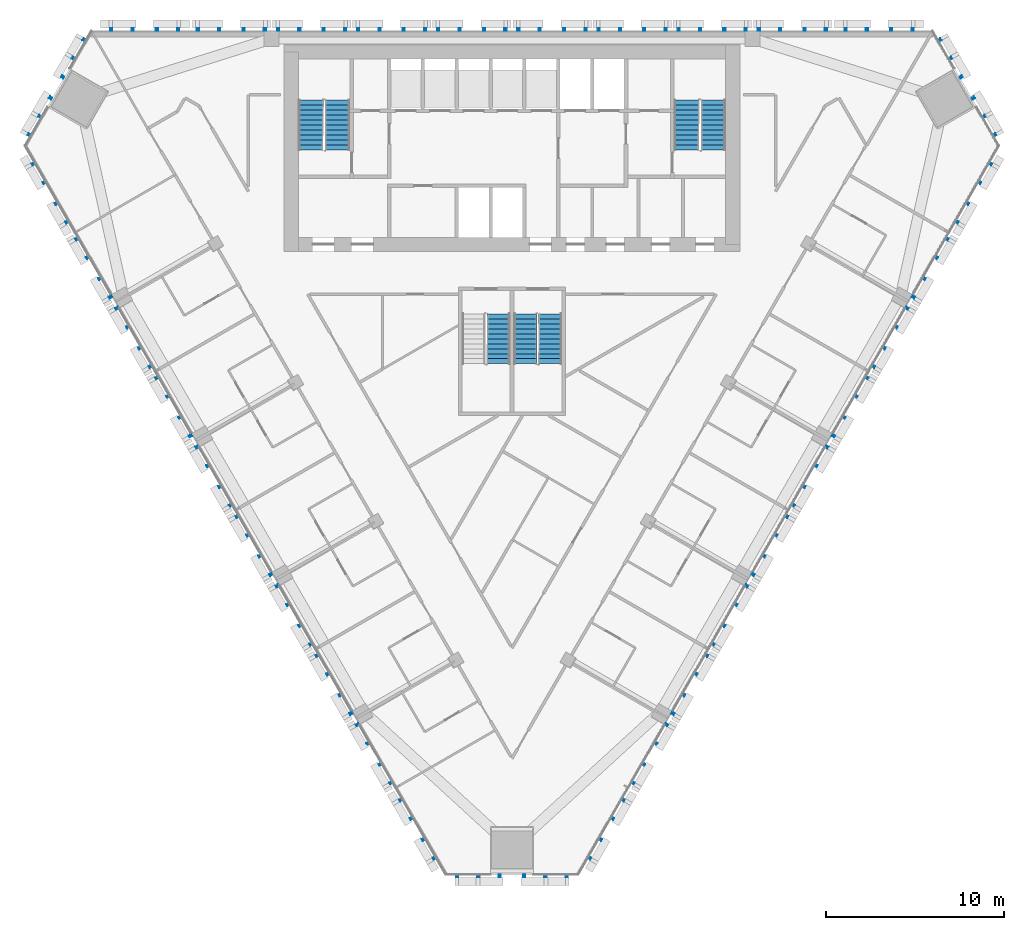
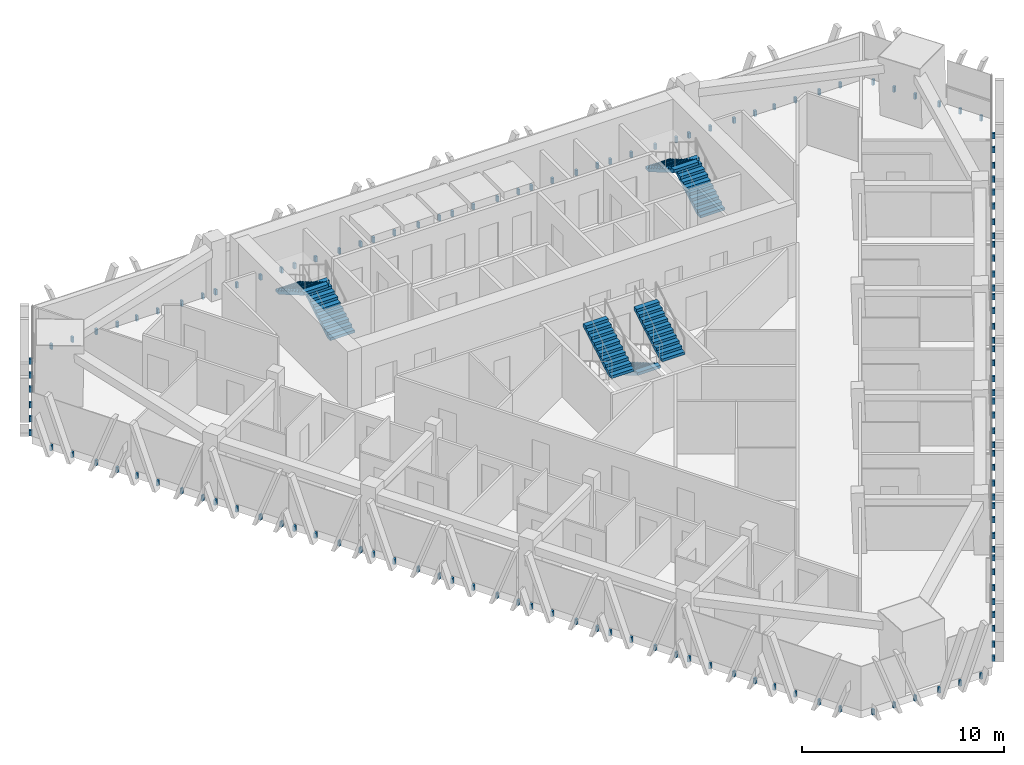
# One storey, part 13 of 16: 7 stair flights, 6 discrete accessories, 4 elements without a shape of their own.
"""IFC4 building model written with IfcOpenShell, lengths in metres."""

import ifcopenshell
import ifcopenshell.guid

model = None  # the IFC model being written
_history = None  # IfcOwnerHistory: only IFC2X3 demands one
_inside = {}  # id of a spatial element -> (the spatial element, [elements in it])
_under = {}  # id of a project, library or spatial element -> (it, [spatial elements below it])
_declared = {}  # id of a project -> (the project, [libraries it declares])
_typed = {}  # id of a type object -> (the type object, [elements of that type])
_made_of = {}  # id of a material, layer set ... -> (it, [elements and type objects made of it])


def new_model(schema):
    """Start an empty IFC model of exactly this schema.

    Asked for "IFC4X3", IfcOpenShell would pick the latest addendum, in which some entities
    have other attributes; the version numbers below select the first issue.
    IFC2X3 requires an IfcOwnerHistory on every rooted entity: one is made here for all.
    """
    global model, _history
    if schema == "IFC4X3":
        model = ifcopenshell.file(schema_version=(4, 3, 0, 0))
    else:
        model = ifcopenshell.file(schema=schema)
    _inside.clear()
    _under.clear()
    _declared.clear()
    _typed.clear()
    _made_of.clear()
    _history = None
    if model.schema == "IFC2X3":
        org = make("IfcOrganization", Name="unknown")
        user = make(
            "IfcPersonAndOrganization",
            ThePerson=make("IfcPerson", FamilyName="unknown"),
            TheOrganization=org,
        )
        app = make(
            "IfcApplication",
            ApplicationDeveloper=org,
            Version="unknown",
            ApplicationFullName="unknown",
            ApplicationIdentifier="unknown",
        )
        _history = make(
            "IfcOwnerHistory",
            OwningUser=user,
            OwningApplication=app,
            ChangeAction="ADDED",
            CreationDate=0,
        )
    return model


def make(cls, **values):
    """One entity of the class cls with the attributes given. An attribute that is None is left unset."""
    return model.create_entity(
        cls, **{name: value for name, value in values.items() if value is not None}
    )


def rooted(cls, **values):
    """An entity with a GlobalId (a new one), such as an element, a storey or a relation."""
    return make(cls, GlobalId=ifcopenshell.guid.new(), OwnerHistory=_history, **values)


def si_unit(unit_type, name, prefix=None):
    """IfcSIUnit, for example si_unit("LENGTHUNIT", "METRE", prefix="MILLI")."""
    return make("IfcSIUnit", UnitType=unit_type, Prefix=prefix, Name=name)


def assignment(units):
    """IfcUnitAssignment: the units of a project."""
    return None if units is None else make("IfcUnitAssignment", Units=units)


def point(xyz):
    """IfcCartesianPoint."""
    return None if xyz is None else make("IfcCartesianPoint", Coordinates=xyz)


def direction(xyz):
    """IfcDirection."""
    return None if xyz is None else make("IfcDirection", DirectionRatios=xyz)


def frame(location, z_axis=None, x_axis=None):
    """IfcAxis2Placement3D, a coordinate frame: its origin and axes. An axis left out is left unset."""
    return make(
        "IfcAxis2Placement3D",
        Location=point(location),
        Axis=direction(z_axis),
        RefDirection=direction(x_axis),
    )


def origin():
    """The frame at (0, 0, 0) with its axes left unset."""
    return frame((0.0, 0.0, 0.0))


def place(relative_to, where):
    """IfcLocalPlacement: puts the frame where relative to a parent placement (None: the world)."""
    return make(
        "IfcLocalPlacement", PlacementRelTo=relative_to, RelativePlacement=where
    )


def context(
    kind, dimensions, precision=None, world=None, true_north=None, identifier=None
):
    """IfcGeometricRepresentationContext, for example the 3D "Model" context."""
    return make(
        "IfcGeometricRepresentationContext",
        ContextIdentifier=identifier,
        ContextType=kind,
        CoordinateSpaceDimension=dimensions,
        Precision=precision,
        WorldCoordinateSystem=world,
        TrueNorth=true_north,
    )


def subcontext(parent, identifier, kind, view, scale=None):
    """IfcGeometricRepresentationSubContext, for example "Body" below "Model"."""
    return make(
        "IfcGeometricRepresentationSubContext",
        ContextIdentifier=identifier,
        ContextType=kind,
        ParentContext=parent,
        TargetScale=scale,
        TargetView=view,
    )


def project(units=None, contexts=None):
    """IfcProject with its units and contexts."""
    return rooted(
        "IfcProject",
        Name="project",
        RepresentationContexts=contexts,
        UnitsInContext=assignment(units),
    )


def spatial(cls, under=None, at=None, **own):
    """A site, building, storey or space (cls), placed at a placement, below another one or the project."""
    s = rooted(cls, ObjectPlacement=at, **own)
    if under is not None:
        _under.setdefault(under.id(), (under, []))[1].append(s)
    return s


def polyline(points):
    """IfcPolyline through the points."""
    return make("IfcPolyline", Points=[point(p) for p in points])


def outline(outer, holes=None, kind="AREA"):
    """IfcArbitraryClosedProfileDef: a profile drawn as a closed curve; with holes, ...WithVoids."""
    if holes is None:
        return make("IfcArbitraryClosedProfileDef", ProfileType=kind, OuterCurve=outer)
    return make(
        "IfcArbitraryProfileDefWithVoids",
        ProfileType=kind,
        OuterCurve=outer,
        InnerCurves=holes,
    )


def extrude(swept, where, along, depth):
    """IfcExtrudedAreaSolid: the profile swept, set in the frame where, extruded along a direction by depth."""
    return make(
        "IfcExtrudedAreaSolid",
        SweptArea=swept,
        Position=where,
        ExtrudedDirection=direction(along),
        Depth=depth,
    )


def shape(context_of_items, identifier, shape_type, items):
    """IfcShapeRepresentation: the items that make up one representation, for example the "Body"."""
    return make(
        "IfcShapeRepresentation",
        ContextOfItems=context_of_items,
        RepresentationIdentifier=identifier,
        RepresentationType=shape_type,
        Items=items,
    )


def source(mapping_origin, context_of_items, identifier, shape_type, items):
    """IfcRepresentationMap: a shape defined once, which mapped items show again and again."""
    return make(
        "IfcRepresentationMap",
        MappingOrigin=mapping_origin,
        MappedRepresentation=shape(context_of_items, identifier, shape_type, items),
    )


def transform(
    local_origin,
    x_axis=None,
    y_axis=None,
    z_axis=None,
    scale=None,
    scale2=None,
    scale3=None,
    uniform=True,
):
    """IfcCartesianTransformationOperator3D, or its non-uniform kind. x_axis, y_axis, z_axis: its Axis1, 2, 3."""
    if uniform:
        return make(
            "IfcCartesianTransformationOperator3D",
            Axis1=direction(x_axis),
            Axis2=direction(y_axis),
            LocalOrigin=point(local_origin),
            Scale=scale,
            Axis3=direction(z_axis),
        )
    return make(
        "IfcCartesianTransformationOperator3DnonUniform",
        Axis1=direction(x_axis),
        Axis2=direction(y_axis),
        LocalOrigin=point(local_origin),
        Scale=scale,
        Axis3=direction(z_axis),
        Scale2=scale2,
        Scale3=scale3,
    )


def mapped(mapping_source, mapping_target):
    """IfcMappedItem: shows the shape of a source again, moved by a transform."""
    return make(
        "IfcMappedItem", MappingSource=mapping_source, MappingTarget=mapping_target
    )


def material(Name=None, Category=None):
    """IfcMaterial."""
    return make("IfcMaterial", Name=Name, Category=Category)


def made_of(thing, what):
    """Note that an element or type object is made of a material, layer set ...; save() writes the relation."""
    if what is not None:
        _made_of.setdefault(what.id(), (what, []))[1].append(thing)
    return thing


def type_object(cls, material=None, **own):
    """A type object (cls), such as IfcWallType, which elements share."""
    return made_of(rooted(cls, **own), material)


def element(
    cls,
    number,
    at=None,
    inside=None,
    cuts=None,
    type_object=None,
    material=None,
    context=None,
    identifier="Body",
    shape_type=None,
    held_by="IfcProductDefinitionShape",
    body=None,
    shapes=None,
    **own,
):
    """One element of the class cls, such as IfcWall. Its Tag is "e" and its number.

    at: its placement. inside: the storey or other place that contains it. cuts: it is an
    opening in that element (IfcRelVoidsElement). A single representation is given by context,
    identifier, shape_type and body (its items); several are given by shapes. held_by: the class
    of the entity that holds the representations. save() writes the other relations.
    """
    e = rooted(cls, Tag="e%d" % number, ObjectPlacement=at, **own)
    if body is not None:
        shapes = [shape(context, identifier, shape_type, body)]
    if shapes is not None:
        e.Representation = make(held_by, Representations=shapes)
    if inside is not None:
        _inside.setdefault(inside.id(), (inside, []))[1].append(e)
    if cuts is not None:
        rooted(
            "IfcRelVoidsElement", RelatingBuildingElement=cuts, RelatedOpeningElement=e
        )
    if type_object is not None:
        _typed.setdefault(type_object.id(), (type_object, []))[1].append(e)
    return made_of(e, material)


def aggregate(whole, parts):
    """IfcRelAggregates: a whole, such as a stair, and the parts it consists of."""
    return rooted("IfcRelAggregates", RelatingObject=whole, RelatedObjects=parts)


def save(model, path):
    """Write the relations noted so far, then the file.

    IfcRelAggregates (storeys below a building ...), IfcRelContainedInSpatialStructure (elements
    in a storey), IfcRelDefinesByType, IfcRelAssociatesMaterial and IfcRelDeclares: one each for
    every whole, place, type object, material and project.
    """
    for whole, parts in _under.values():
        aggregate(whole, parts)
    for where, things in _inside.values():
        rooted(
            "IfcRelContainedInSpatialStructure",
            RelatedElements=things,
            RelatingStructure=where,
        )
    for kind, things in _typed.values():
        rooted("IfcRelDefinesByType", RelatedObjects=things, RelatingType=kind)
    for what, things in _made_of.values():
        rooted("IfcRelAssociatesMaterial", RelatedObjects=things, RelatingMaterial=what)
    for by, libraries in _declared.values():
        rooted("IfcRelDeclares", RelatingContext=by, RelatedDefinitions=libraries)
    model.write(path)


model = new_model("IFC4")

# Units and contexts
model_context = context("Model", 3, precision=1e-05, world=origin(), true_north=direction((0.0, 1.0)))
body_context = subcontext(model_context, "Body", "Model", "MODEL_VIEW")
ifc_project = project(units=[si_unit("LENGTHUNIT", "METRE"), si_unit("AREAUNIT", "SQUARE_METRE"), si_unit("VOLUMEUNIT", "CUBIC_METRE"), si_unit("PLANEANGLEUNIT", "RADIAN"), si_unit("MASSUNIT", "GRAM", prefix="KILO")], contexts=[model_context])

# Site, building, storey
site_placement = place(None, origin())
site = spatial("IfcSite", under=ifc_project, at=site_placement, CompositionType="ELEMENT")
building_placement = place(site_placement, origin())
building = spatial("IfcBuilding", under=site, at=building_placement, Name="Altiplano Prism Tower", CompositionType="ELEMENT")
storey_placement = place(building_placement, frame((0.0, 0.0, 145.800048828125)))
storey = spatial("IfcBuildingStorey", under=building, at=storey_placement, Name="L37", CompositionType="ELEMENT", Elevation=145.800048828125)

# Stair, stair flights
ifc_material_1 = material(Name="Concrete C40/50", Category="concrete")
stair_type_1 = type_object("IfcStairType", Name="Exit stair 1400", PredefinedType="HALF_TURN_STAIR", material=ifc_material_1)
stair_1_placement = place(storey_placement, origin())
stair_1 = element("IfcStair", 1, at=stair_1_placement, inside=storey, type_object=stair_type_1, Name="L37 Exit Stair 1", PredefinedType="HALF_TURN_STAIR")
stair_flight_type = type_object("IfcStairFlightType", Name="Stair flight concrete 150", PredefinedType="STRAIGHT", material=ifc_material_1)
stair_flight_1_placement = place(storey_placement, frame((75.199951171875, 98.300048828125, 0.0), z_axis=(0.0, 0.0, 1.0), x_axis=(0.0, 1.0, 0.0)))
stair_flight_1 = element("IfcStairFlight", 2, at=stair_flight_1_placement, type_object=stair_flight_type, Name="ST1 flight 1", NumberOfRisers=11, NumberOfTreads=10, PredefinedType="STRAIGHT", RiserHeight=0.163636364, TreadLength=0.28, context=body_context, shape_type="SweptSolid", body=[
    extrude(outline(polyline([(0.0, 0.0), (0.0, 0.16357421875), (0.280029296875, 0.16357421875), (0.280029296875, 0.327392578125), (0.56005859375, 0.327392578125), (0.56005859375, 0.490966796875), (0.840087890625, 0.490966796875), (0.840087890625, 0.654541015625), (1.1201171875, 0.654541015625), (1.1201171875, 0.818115234375), (1.39990234375, 0.818115234375), (1.39990234375, 0.98193359375), (1.679931640625, 0.98193359375), (1.679931640625, 1.1455078125), (1.9599609375, 1.1455078125), (1.9599609375, 1.30908203125), (2.239990234375, 1.30908203125), (2.239990234375, 1.47265625), (2.52001953125, 1.47265625), (2.52001953125, 1.636474609375), (2.800048828125, 1.636474609375), (2.800048828125, 1.800048828125), (2.800048828125, 1.462646484375), (0.297119140625, 0.0), (0.0, 0.0)])), frame((0.0, 0.699951171875, 0.0), z_axis=(0.0, -1.0, 0.0), x_axis=(1.0, 0.0, 0.0)), (0.0, 0.0, 1.0), 1.39990234375),
])
stair_flight_2_placement = place(storey_placement, frame((73.699951171875, 101.10009765625, 1.800048828125), z_axis=(0.0, 0.0, 1.0), x_axis=(0.0, -1.0, 0.0)))
stair_flight_2 = element("IfcStairFlight", 3, at=stair_flight_2_placement, type_object=stair_flight_type, Name="ST1 flight 2", NumberOfRisers=11, NumberOfTreads=10, PredefinedType="STRAIGHT", RiserHeight=0.163636364, TreadLength=0.28, context=body_context, shape_type="SweptSolid", body=[
    extrude(outline(polyline([(0.0, 0.0), (0.0, 0.16357421875), (0.280029296875, 0.16357421875), (0.280029296875, 0.327392578125), (0.56005859375, 0.327392578125), (0.56005859375, 0.490966796875), (0.840087890625, 0.490966796875), (0.840087890625, 0.654541015625), (1.1201171875, 0.654541015625), (1.1201171875, 0.818115234375), (1.39990234375, 0.818115234375), (1.39990234375, 0.98193359375), (1.679931640625, 0.98193359375), (1.679931640625, 1.1455078125), (1.9599609375, 1.1455078125), (1.9599609375, 1.30908203125), (2.239990234375, 1.30908203125), (2.239990234375, 1.47265625), (2.52001953125, 1.47265625), (2.52001953125, 1.636474609375), (2.800048828125, 1.636474609375), (2.800048828125, 1.800048828125), (2.800048828125, 1.462646484375), (0.297119140625, 0.0), (0.0, 0.0)])), frame((0.0, 0.699951171875, 0.0), z_axis=(0.0, -1.0, 0.0), x_axis=(1.0, 0.0, 0.0)), (0.0, 0.0, 1.0), 1.39990234375),
])
aggregate(stair_1, [stair_flight_1, stair_flight_2])

stair_2_placement = place(storey_placement, origin())
stair_2 = element("IfcStair", 4, at=stair_2_placement, inside=storey, type_object=stair_type_1, Name="L37 Exit Stair 2", PredefinedType="HALF_TURN_STAIR")
stair_flight_3_placement = place(storey_placement, frame((96.300048828125, 98.300048828125, 0.0), z_axis=(0.0, 0.0, 1.0), x_axis=(0.0, 1.0, 0.0)))
stair_flight_3 = element("IfcStairFlight", 5, at=stair_flight_3_placement, type_object=stair_flight_type, Name="ST2 flight 1", NumberOfRisers=11, NumberOfTreads=10, PredefinedType="STRAIGHT", RiserHeight=0.163636364, TreadLength=0.28, context=body_context, shape_type="SweptSolid", body=[
    extrude(outline(polyline([(0.0, 0.0), (0.0, 0.16357421875), (0.280029296875, 0.16357421875), (0.280029296875, 0.327392578125), (0.56005859375, 0.327392578125), (0.56005859375, 0.490966796875), (0.840087890625, 0.490966796875), (0.840087890625, 0.654541015625), (1.1201171875, 0.654541015625), (1.1201171875, 0.818115234375), (1.39990234375, 0.818115234375), (1.39990234375, 0.98193359375), (1.679931640625, 0.98193359375), (1.679931640625, 1.1455078125), (1.9599609375, 1.1455078125), (1.9599609375, 1.30908203125), (2.239990234375, 1.30908203125), (2.239990234375, 1.47265625), (2.52001953125, 1.47265625), (2.52001953125, 1.636474609375), (2.800048828125, 1.636474609375), (2.800048828125, 1.800048828125), (2.800048828125, 1.462646484375), (0.297119140625, 0.0), (0.0, 0.0)])), frame((0.0, 0.699951171875, 0.0), z_axis=(0.0, -1.0, 0.0), x_axis=(1.0, 0.0, 0.0)), (0.0, 0.0, 1.0), 1.39990234375),
])
stair_flight_4_placement = place(storey_placement, frame((94.800048828125, 101.10009765625, 1.800048828125), z_axis=(0.0, 0.0, 1.0), x_axis=(0.0, -1.0, 0.0)))
stair_flight_4 = element("IfcStairFlight", 6, at=stair_flight_4_placement, type_object=stair_flight_type, Name="ST2 flight 2", NumberOfRisers=11, NumberOfTreads=10, PredefinedType="STRAIGHT", RiserHeight=0.163636364, TreadLength=0.28, context=body_context, shape_type="SweptSolid", body=[
    extrude(outline(polyline([(0.0, 0.0), (0.0, 0.16357421875), (0.280029296875, 0.16357421875), (0.280029296875, 0.327392578125), (0.56005859375, 0.327392578125), (0.56005859375, 0.490966796875), (0.840087890625, 0.490966796875), (0.840087890625, 0.654541015625), (1.1201171875, 0.654541015625), (1.1201171875, 0.818115234375), (1.39990234375, 0.818115234375), (1.39990234375, 0.98193359375), (1.679931640625, 0.98193359375), (1.679931640625, 1.1455078125), (1.9599609375, 1.1455078125), (1.9599609375, 1.30908203125), (2.239990234375, 1.30908203125), (2.239990234375, 1.47265625), (2.52001953125, 1.47265625), (2.52001953125, 1.636474609375), (2.800048828125, 1.636474609375), (2.800048828125, 1.800048828125), (2.800048828125, 1.462646484375), (0.297119140625, 0.0), (0.0, 0.0)])), frame((0.0, 0.699951171875, 0.0), z_axis=(0.0, -1.0, 0.0), x_axis=(1.0, 0.0, 0.0)), (0.0, 0.0, 1.0), 1.39990234375),
])
aggregate(stair_2, [stair_flight_3, stair_flight_4])

# Stair, stair flight
stair_type_2 = type_object("IfcStairType", Name="Exit stair 1300", PredefinedType="HALF_TURN_STAIR", material=ifc_material_1)
stair_3_placement = place(storey_placement, origin())
stair_3 = element("IfcStair", 7, at=stair_3_placement, inside=storey, type_object=stair_type_2, Name="L37 Exit Stair 3A", PredefinedType="HALF_TURN_STAIR")
stair_flight_5_placement = place(storey_placement, frame((84.25, 86.300048828125, 1.800048828125), z_axis=(0.0, 0.0, 1.0), x_axis=(0.0, 1.0, 0.0)))
stair_flight_5 = element("IfcStairFlight", 8, at=stair_flight_5_placement, type_object=stair_flight_type, Name="ST3A flight 2", NumberOfRisers=11, NumberOfTreads=10, PredefinedType="STRAIGHT", RiserHeight=0.163636364, TreadLength=0.28, context=body_context, shape_type="SweptSolid", body=[
    extrude(outline(polyline([(0.0, 0.0), (0.0, 0.16357421875), (0.280029296875, 0.16357421875), (0.280029296875, 0.327392578125), (0.56005859375, 0.327392578125), (0.56005859375, 0.490966796875), (0.840087890625, 0.490966796875), (0.840087890625, 0.654541015625), (1.1201171875, 0.654541015625), (1.1201171875, 0.818115234375), (1.39990234375, 0.818115234375), (1.39990234375, 0.98193359375), (1.679931640625, 0.98193359375), (1.679931640625, 1.1455078125), (1.9599609375, 1.1455078125), (1.9599609375, 1.30908203125), (2.239990234375, 1.30908203125), (2.239990234375, 1.47265625), (2.52001953125, 1.47265625), (2.52001953125, 1.636474609375), (2.800048828125, 1.636474609375), (2.800048828125, 1.800048828125), (2.800048828125, 1.462646484375), (0.297119140625, 0.0), (0.0, 0.0)])), frame((0.0, 0.64990234375, 0.0), z_axis=(0.0, -1.0, 0.0), x_axis=(1.0, 0.0, 0.0)), (0.0, 0.0, 1.0), 1.300048828125),
])
aggregate(stair_3, [stair_flight_5])

# Stair, stair flights
stair_4_placement = place(storey_placement, origin())
stair_4 = element("IfcStair", 9, at=stair_4_placement, inside=storey, type_object=stair_type_2, Name="L37 Exit Stair 3B", PredefinedType="HALF_TURN_STAIR")
stair_flight_6_placement = place(storey_placement, frame((85.75, 89.10009765625, 0.0), z_axis=(0.0, 0.0, 1.0), x_axis=(0.0, -1.0, 0.0)))
stair_flight_6 = element("IfcStairFlight", 10, at=stair_flight_6_placement, type_object=stair_flight_type, Name="ST3B flight 1", NumberOfRisers=11, NumberOfTreads=10, PredefinedType="STRAIGHT", RiserHeight=0.163636364, TreadLength=0.28, context=body_context, shape_type="SweptSolid", body=[
    extrude(outline(polyline([(0.0, 0.0), (0.0, 0.16357421875), (0.280029296875, 0.16357421875), (0.280029296875, 0.327392578125), (0.56005859375, 0.327392578125), (0.56005859375, 0.490966796875), (0.840087890625, 0.490966796875), (0.840087890625, 0.654541015625), (1.1201171875, 0.654541015625), (1.1201171875, 0.818115234375), (1.39990234375, 0.818115234375), (1.39990234375, 0.98193359375), (1.679931640625, 0.98193359375), (1.679931640625, 1.1455078125), (1.9599609375, 1.1455078125), (1.9599609375, 1.30908203125), (2.239990234375, 1.30908203125), (2.239990234375, 1.47265625), (2.52001953125, 1.47265625), (2.52001953125, 1.636474609375), (2.800048828125, 1.636474609375), (2.800048828125, 1.800048828125), (2.800048828125, 1.462646484375), (0.297119140625, 0.0), (0.0, 0.0)])), frame((0.0, 0.64990234375, 0.0), z_axis=(0.0, -1.0, 0.0), x_axis=(1.0, 0.0, 0.0)), (0.0, 0.0, 1.0), 1.300048828125),
])
stair_flight_7_placement = place(storey_placement, frame((87.14990234375, 86.300048828125, 1.800048828125), z_axis=(0.0, 0.0, 1.0), x_axis=(0.0, 1.0, 0.0)))
stair_flight_7 = element("IfcStairFlight", 11, at=stair_flight_7_placement, type_object=stair_flight_type, Name="ST3B flight 2", NumberOfRisers=11, NumberOfTreads=10, PredefinedType="STRAIGHT", RiserHeight=0.163636364, TreadLength=0.28, context=body_context, shape_type="SweptSolid", body=[
    extrude(outline(polyline([(0.0, 0.0), (0.0, 0.16357421875), (0.280029296875, 0.16357421875), (0.280029296875, 0.327392578125), (0.56005859375, 0.327392578125), (0.56005859375, 0.490966796875), (0.840087890625, 0.490966796875), (0.840087890625, 0.654541015625), (1.1201171875, 0.654541015625), (1.1201171875, 0.818115234375), (1.39990234375, 0.818115234375), (1.39990234375, 0.98193359375), (1.679931640625, 0.98193359375), (1.679931640625, 1.1455078125), (1.9599609375, 1.1455078125), (1.9599609375, 1.30908203125), (2.239990234375, 1.30908203125), (2.239990234375, 1.47265625), (2.52001953125, 1.47265625), (2.52001953125, 1.636474609375), (2.800048828125, 1.636474609375), (2.800048828125, 1.800048828125), (2.800048828125, 1.462646484375), (0.297119140625, 0.0), (0.0, 0.0)])), frame((0.0, 0.64990234375, 0.0), z_axis=(0.0, -1.0, 0.0), x_axis=(1.0, 0.0, 0.0)), (0.0, 0.0, 1.0), 1.300048828125),
])
aggregate(stair_4, [stair_flight_6, stair_flight_7])

# Discrete accessories
ifc_material_2 = material(Name="Stainless steel", Category="steel")
discrete_accessory_type = type_object("IfcDiscreteAccessoryType", Name="Stone fin fixing prongs", PredefinedType="USERDEFINED", material=ifc_material_2)
shared_shape_1 = source(origin(), body_context, "Body", "SweptSolid", [
    extrude(outline(polyline([(-1.94189453125, 0.06005859375), (-1.822021484375, 0.06005859375), (-1.822021484375, 0.389892578125), (-1.94189453125, 0.389892578125), (-1.94189453125, 0.06005859375)])), frame((0.0, 0.0, 0.0), z_axis=(0.0, -1.0, 0.0), x_axis=(1.0, 0.0, 0.0)), (0.0, 0.0, 1.0), 0.14990234375),
    extrude(outline(polyline([(-0.741943359375, 0.06005859375), (-0.621826171875, 0.06005859375), (-0.621826171875, 0.389892578125), (-0.741943359375, 0.389892578125), (-0.741943359375, 0.06005859375)])), frame((0.0, 0.0, 0.0), z_axis=(0.0, -1.0, 0.0), x_axis=(1.0, 0.0, 0.0)), (0.0, 0.0, 1.0), 0.14990234375),
    extrude(outline(polyline([(0.621826171875, 0.06005859375), (0.741943359375, 0.06005859375), (0.741943359375, 0.389892578125), (0.621826171875, 0.389892578125), (0.621826171875, 0.06005859375)])), frame((0.0, 0.0, 0.0), z_axis=(0.0, -1.0, 0.0), x_axis=(1.0, 0.0, 0.0)), (0.0, 0.0, 1.0), 0.14990234375),
    extrude(outline(polyline([(1.822021484375, 0.06005859375), (1.94189453125, 0.06005859375), (1.94189453125, 0.389892578125), (1.822021484375, 0.389892578125), (1.822021484375, 0.06005859375)])), frame((0.0, 0.0, 0.0), z_axis=(0.0, -1.0, 0.0), x_axis=(1.0, 0.0, 0.0)), (0.0, 0.0, 1.0), 0.14990234375),
])
shared_shape_2 = source(origin(), body_context, "Body", "SweptSolid", [
    extrude(outline(polyline([(-1.94189453125, 0.06005859375), (-1.822021484375, 0.06005859375), (-1.822021484375, 0.389892578125), (-1.94189453125, 0.389892578125), (-1.94189453125, 0.06005859375)])), frame((0.0, 0.0, 0.0), z_axis=(0.0, -1.0, 0.0), x_axis=(1.0, 0.0, 0.0)), (0.0, 0.0, 1.0), 0.14990234375),
    extrude(outline(polyline([(-0.741943359375, 0.06005859375), (-0.621826171875, 0.06005859375), (-0.621826171875, 0.389892578125), (-0.741943359375, 0.389892578125), (-0.741943359375, 0.06005859375)])), frame((0.0, 0.0, 0.0), z_axis=(0.0, -1.0, 0.0), x_axis=(1.0, 0.0, 0.0)), (0.0, 0.0, 1.0), 0.14990234375),
    extrude(outline(polyline([(0.621826171875, 0.06005859375), (0.741943359375, 0.06005859375), (0.741943359375, 0.389892578125), (0.621826171875, 0.389892578125), (0.621826171875, 0.06005859375)])), frame((0.0, 0.0, 0.0), z_axis=(0.0, -1.0, 0.0), x_axis=(1.0, 0.0, 0.0)), (0.0, 0.0, 1.0), 0.14990234375),
    extrude(outline(polyline([(1.822021484375, 0.06005859375), (1.94189453125, 0.06005859375), (1.94189453125, 0.389892578125), (1.822021484375, 0.389892578125), (1.822021484375, 0.06005859375)])), frame((0.0, 0.0, 0.0), z_axis=(0.0, -1.0, 0.0), x_axis=(1.0, 0.0, 0.0)), (0.0, 0.0, 1.0), 0.14990234375),
])
discrete_accessory_1_placement = place(storey_placement, origin())
element("IfcDiscreteAccessory", 12, at=discrete_accessory_1_placement, inside=storey, type_object=discrete_accessory_type, Name="Fin fixings L37 north face", ObjectType="BRACKET", PredefinedType="USERDEFINED", context=body_context, shape_type="MappedRepresentation", body=[
    mapped(shared_shape_1, transform((105.616943359375, 105.0, -0.449951171875), x_axis=(-1.0, 0.0, 0.0), y_axis=(0.0, -1.0, 0.0), z_axis=(0.0, 0.0, 1.0))),
    mapped(shared_shape_2, transform((100.75, 105.0, -0.449951171875), x_axis=(-1.0, 0.0, 0.0), y_axis=(0.0, -1.0, 0.0), z_axis=(0.0, 0.0, 1.0))),
    mapped(shared_shape_2, transform((96.25, 105.0, -0.449951171875), x_axis=(-1.0, 0.0, 0.0), y_axis=(0.0, -1.0, 0.0), z_axis=(0.0, 0.0, 1.0))),
    mapped(shared_shape_2, transform((91.75, 105.0, -0.449951171875), x_axis=(-1.0, 0.0, 0.0), y_axis=(0.0, -1.0, 0.0), z_axis=(0.0, 0.0, 1.0))),
    mapped(shared_shape_2, transform((87.25, 105.0, -0.449951171875), x_axis=(-1.0, 0.0, 0.0), y_axis=(0.0, -1.0, 0.0), z_axis=(0.0, 0.0, 1.0))),
    mapped(shared_shape_2, transform((82.75, 105.0, -0.449951171875), x_axis=(-1.0, 0.0, 0.0), y_axis=(0.0, -1.0, 0.0), z_axis=(0.0, 0.0, 1.0))),
    mapped(shared_shape_2, transform((78.25, 105.0, -0.449951171875), x_axis=(-1.0, 0.0, 0.0), y_axis=(0.0, -1.0, 0.0), z_axis=(0.0, 0.0, 1.0))),
    mapped(shared_shape_2, transform((73.75, 105.0, -0.449951171875), x_axis=(-1.0, 0.0, 0.0), y_axis=(0.0, -1.0, 0.0), z_axis=(0.0, 0.0, 1.0))),
    mapped(shared_shape_2, transform((69.25, 105.0, -0.449951171875), x_axis=(-1.0, 0.0, 0.0), y_axis=(0.0, -1.0, 0.0), z_axis=(0.0, 0.0, 1.0))),
    mapped(shared_shape_1, transform((64.383056640625, 105.0, -0.449951171875), x_axis=(-1.0, 0.0, 0.0), y_axis=(0.0, -1.0, 0.0), z_axis=(0.0, 0.0, 1.0))),
])
discrete_accessory_2_placement = place(storey_placement, origin())
element("IfcDiscreteAccessory", 13, at=discrete_accessory_2_placement, inside=storey, type_object=discrete_accessory_type, Name="Fin fixings L37 south-west face", ObjectType="BRACKET", PredefinedType="USERDEFINED", context=body_context, shape_type="MappedRepresentation", body=[
    mapped(shared_shape_1, transform((59.144775390625, 95.9267578125, -0.449951171875), x_axis=(0.500000003023, -0.866025402039, 0.0), y_axis=(0.866025402039, 0.500000003023, 0.0), z_axis=(0.0, 0.0, 1.0))),
    mapped(shared_shape_2, transform((61.578125, 91.7119140625, -0.449951171875), x_axis=(0.500000003023, -0.866025402039, 0.0), y_axis=(0.866025402039, 0.500000003023, 0.0), z_axis=(0.0, 0.0, 1.0))),
    mapped(shared_shape_2, transform((63.828125, 87.814697265625, -0.449951171875), x_axis=(0.500000003023, -0.866025402039, 0.0), y_axis=(0.866025402039, 0.500000003023, 0.0), z_axis=(0.0, 0.0, 1.0))),
    mapped(shared_shape_2, transform((66.078125, 83.917724609375, -0.449951171875), x_axis=(0.500000003023, -0.866025402039, 0.0), y_axis=(0.866025402039, 0.500000003023, 0.0), z_axis=(0.0, 0.0, 1.0))),
    mapped(shared_shape_2, transform((68.328125, 80.0205078125, -0.449951171875), x_axis=(0.500000003023, -0.866025402039, 0.0), y_axis=(0.866025402039, 0.500000003023, 0.0), z_axis=(0.0, 0.0, 1.0))),
    mapped(shared_shape_2, transform((70.578125, 76.12353515625, -0.449951171875), x_axis=(0.500000003023, -0.866025402039, 0.0), y_axis=(0.866025402039, 0.500000003023, 0.0), z_axis=(0.0, 0.0, 1.0))),
    mapped(shared_shape_2, transform((72.828125, 72.226318359375, -0.449951171875), x_axis=(0.500000003023, -0.866025402039, 0.0), y_axis=(0.866025402039, 0.500000003023, 0.0), z_axis=(0.0, 0.0, 1.0))),
    mapped(shared_shape_2, transform((75.078125, 68.329345703125, -0.449951171875), x_axis=(0.500000003023, -0.866025402039, 0.0), y_axis=(0.866025402039, 0.500000003023, 0.0), z_axis=(0.0, 0.0, 1.0))),
    mapped(shared_shape_2, transform((77.328125, 64.43212890625, -0.449951171875), x_axis=(0.500000003023, -0.866025402039, 0.0), y_axis=(0.866025402039, 0.500000003023, 0.0), z_axis=(0.0, 0.0, 1.0))),
    mapped(shared_shape_1, transform((79.761474609375, 60.21728515625, -0.449951171875), x_axis=(0.500000003023, -0.866025402039, 0.0), y_axis=(0.866025402039, 0.500000003023, 0.0), z_axis=(0.0, 0.0, 1.0))),
])
discrete_accessory_3_placement = place(storey_placement, origin())
element("IfcDiscreteAccessory", 14, at=discrete_accessory_3_placement, inside=storey, type_object=discrete_accessory_type, Name="Fin fixings L37 south-east face", ObjectType="BRACKET", PredefinedType="USERDEFINED", context=body_context, shape_type="MappedRepresentation", body=[
    mapped(shared_shape_1, transform((90.238525390625, 60.21728515625, -0.449951171875), x_axis=(0.500000003023, 0.866025402039, 0.0), y_axis=(-0.866025402039, 0.500000003023, 0.0), z_axis=(0.0, 0.0, 1.0))),
    mapped(shared_shape_2, transform((92.671875, 64.43212890625, -0.449951171875), x_axis=(0.500000003023, 0.866025402039, 0.0), y_axis=(-0.866025402039, 0.500000003023, 0.0), z_axis=(0.0, 0.0, 1.0))),
    mapped(shared_shape_2, transform((94.921875, 68.329345703125, -0.449951171875), x_axis=(0.500000003023, 0.866025402039, 0.0), y_axis=(-0.866025402039, 0.500000003023, 0.0), z_axis=(0.0, 0.0, 1.0))),
    mapped(shared_shape_2, transform((97.171875, 72.226318359375, -0.449951171875), x_axis=(0.500000003023, 0.866025402039, 0.0), y_axis=(-0.866025402039, 0.500000003023, 0.0), z_axis=(0.0, 0.0, 1.0))),
    mapped(shared_shape_2, transform((99.421875, 76.12353515625, -0.449951171875), x_axis=(0.500000003023, 0.866025402039, 0.0), y_axis=(-0.866025402039, 0.500000003023, 0.0), z_axis=(0.0, 0.0, 1.0))),
    mapped(shared_shape_2, transform((101.671875, 80.0205078125, -0.449951171875), x_axis=(0.500000003023, 0.866025402039, 0.0), y_axis=(-0.866025402039, 0.500000003023, 0.0), z_axis=(0.0, 0.0, 1.0))),
    mapped(shared_shape_2, transform((103.921875, 83.917724609375, -0.449951171875), x_axis=(0.500000003023, 0.866025402039, 0.0), y_axis=(-0.866025402039, 0.500000003023, 0.0), z_axis=(0.0, 0.0, 1.0))),
    mapped(shared_shape_2, transform((106.171875, 87.814697265625, -0.449951171875), x_axis=(0.500000003023, 0.866025402039, 0.0), y_axis=(-0.866025402039, 0.500000003023, 0.0), z_axis=(0.0, 0.0, 1.0))),
    mapped(shared_shape_2, transform((108.421875, 91.7119140625, -0.449951171875), x_axis=(0.500000003023, 0.866025402039, 0.0), y_axis=(-0.866025402039, 0.500000003023, 0.0), z_axis=(0.0, 0.0, 1.0))),
    mapped(shared_shape_1, transform((110.855224609375, 95.9267578125, -0.449951171875), x_axis=(0.500000003023, 0.866025402039, 0.0), y_axis=(-0.866025402039, 0.500000003023, 0.0), z_axis=(0.0, 0.0, 1.0))),
])
shared_shape_3 = source(origin(), body_context, "Body", "SweptSolid", [
    extrude(outline(polyline([(-1.94189453125, 0.06005859375), (-1.822021484375, 0.06005859375), (-1.822021484375, 0.389892578125), (-1.94189453125, 0.389892578125), (-1.94189453125, 0.06005859375)])), frame((0.0, 0.0, 0.0), z_axis=(0.0, -1.0, 0.0), x_axis=(1.0, 0.0, 0.0)), (0.0, 0.0, 1.0), 0.14990234375),
    extrude(outline(polyline([(-3.141845703125, 0.06005859375), (-3.02197265625, 0.06005859375), (-3.02197265625, 0.389892578125), (-3.141845703125, 0.389892578125), (-3.141845703125, 0.06005859375)])), frame((0.0, 0.0, 0.0), z_axis=(0.0, -1.0, 0.0), x_axis=(1.0, 0.0, 0.0)), (0.0, 0.0, 1.0), 0.14990234375),
    extrude(outline(polyline([(-0.741943359375, 0.06005859375), (-0.621826171875, 0.06005859375), (-0.621826171875, 0.389892578125), (-0.741943359375, 0.389892578125), (-0.741943359375, 0.06005859375)])), frame((0.0, 0.0, 0.0), z_axis=(0.0, -1.0, 0.0), x_axis=(1.0, 0.0, 0.0)), (0.0, 0.0, 1.0), 0.14990234375),
    extrude(outline(polyline([(0.621826171875, 0.06005859375), (0.741943359375, 0.06005859375), (0.741943359375, 0.389892578125), (0.621826171875, 0.389892578125), (0.621826171875, 0.06005859375)])), frame((0.0, 0.0, 0.0), z_axis=(0.0, -1.0, 0.0), x_axis=(1.0, 0.0, 0.0)), (0.0, 0.0, 1.0), 0.14990234375),
    extrude(outline(polyline([(1.822021484375, 0.06005859375), (1.94189453125, 0.06005859375), (1.94189453125, 0.389892578125), (1.822021484375, 0.389892578125), (1.822021484375, 0.06005859375)])), frame((0.0, 0.0, 0.0), z_axis=(0.0, -1.0, 0.0), x_axis=(1.0, 0.0, 0.0)), (0.0, 0.0, 1.0), 0.14990234375),
    extrude(outline(polyline([(3.02197265625, 0.06005859375), (3.141845703125, 0.06005859375), (3.141845703125, 0.389892578125), (3.02197265625, 0.389892578125), (3.02197265625, 0.06005859375)])), frame((0.0, 0.0, 0.0), z_axis=(0.0, -1.0, 0.0), x_axis=(1.0, 0.0, 0.0)), (0.0, 0.0, 1.0), 0.14990234375),
])
discrete_accessory_4_placement = place(storey_placement, origin())
element("IfcDiscreteAccessory", 15, at=discrete_accessory_4_placement, inside=storey, type_object=discrete_accessory_type, Name="Fin fixings L37 north-west chamfer", ObjectType="BRACKET", PredefinedType="USERDEFINED", context=body_context, shape_type="MappedRepresentation", body=[
    mapped(shared_shape_3, transform((59.501220703125, 101.769775390625, -0.449951171875), x_axis=(-0.500000006889, -0.866025399807, 0.0), y_axis=(0.866025399807, -0.500000006889, 0.0), z_axis=(0.0, 0.0, 1.0))),
])
discrete_accessory_5_placement = place(storey_placement, origin())
element("IfcDiscreteAccessory", 16, at=discrete_accessory_5_placement, inside=storey, type_object=discrete_accessory_type, Name="Fin fixings L37 south chamfer", ObjectType="BRACKET", PredefinedType="USERDEFINED", context=body_context, shape_type="MappedRepresentation", body=[
    mapped(shared_shape_3, transform((85.0, 57.6044921875, -0.449951171875), x_axis=(1.0, 0.0, 0.0), y_axis=(0.0, 1.0, 0.0), z_axis=(0.0, 0.0, 1.0))),
])
discrete_accessory_6_placement = place(storey_placement, origin())
element("IfcDiscreteAccessory", 17, at=discrete_accessory_6_placement, inside=storey, type_object=discrete_accessory_type, Name="Fin fixings L37 north-east chamfer", ObjectType="BRACKET", PredefinedType="USERDEFINED", context=body_context, shape_type="MappedRepresentation", body=[
    mapped(shared_shape_3, transform((110.498779296875, 101.769775390625, -0.449951171875), x_axis=(-0.500000006889, 0.866025399807, 0.0), y_axis=(-0.866025399807, -0.500000006889, 0.0), z_axis=(0.0, 0.0, 1.0))),
])

save(model, "model.ifc")
